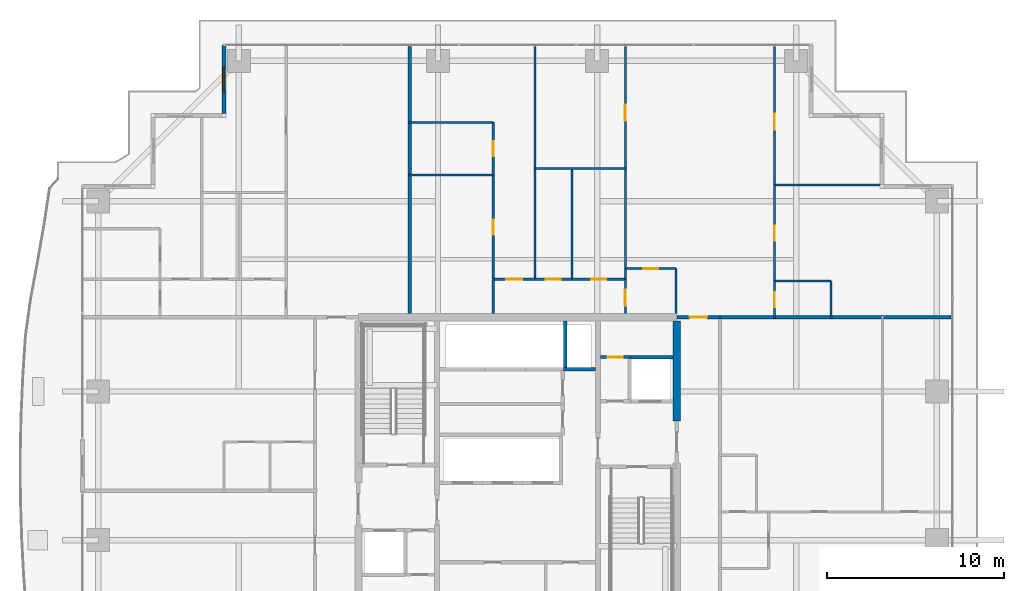
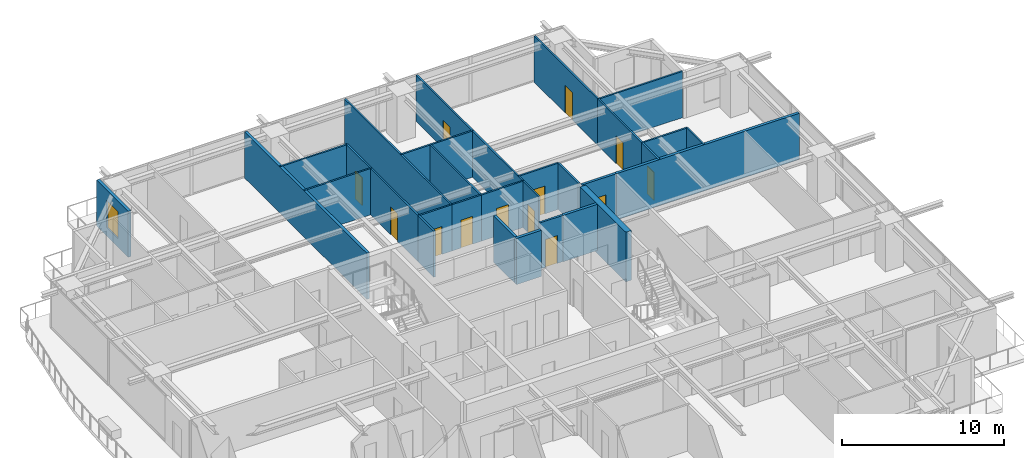
# One storey, part 28 of 35: 31 walls, 13 doors, 1 window, 14 openings.
"""IFC4 building model written with IfcOpenShell, lengths in metres."""

import ifcopenshell
import ifcopenshell.guid

model = None  # the IFC model being written
_history = None  # IfcOwnerHistory: only IFC2X3 demands one
_inside = {}  # id of a spatial element -> (the spatial element, [elements in it])
_under = {}  # id of a project, library or spatial element -> (it, [spatial elements below it])
_declared = {}  # id of a project -> (the project, [libraries it declares])
_typed = {}  # id of a type object -> (the type object, [elements of that type])
_made_of = {}  # id of a material, layer set ... -> (it, [elements and type objects made of it])


def new_model(schema):
    """Start an empty IFC model of exactly this schema.

    Asked for "IFC4X3", IfcOpenShell would pick the latest addendum, in which some entities
    have other attributes; the version numbers below select the first issue.
    IFC2X3 requires an IfcOwnerHistory on every rooted entity: one is made here for all.
    """
    global model, _history
    if schema == "IFC4X3":
        model = ifcopenshell.file(schema_version=(4, 3, 0, 0))
    else:
        model = ifcopenshell.file(schema=schema)
    _inside.clear()
    _under.clear()
    _declared.clear()
    _typed.clear()
    _made_of.clear()
    _history = None
    if model.schema == "IFC2X3":
        org = make("IfcOrganization", Name="unknown")
        user = make(
            "IfcPersonAndOrganization",
            ThePerson=make("IfcPerson", FamilyName="unknown"),
            TheOrganization=org,
        )
        app = make(
            "IfcApplication",
            ApplicationDeveloper=org,
            Version="unknown",
            ApplicationFullName="unknown",
            ApplicationIdentifier="unknown",
        )
        _history = make(
            "IfcOwnerHistory",
            OwningUser=user,
            OwningApplication=app,
            ChangeAction="ADDED",
            CreationDate=0,
        )
    return model


def make(cls, **values):
    """One entity of the class cls with the attributes given. An attribute that is None is left unset."""
    return model.create_entity(
        cls, **{name: value for name, value in values.items() if value is not None}
    )


def rooted(cls, **values):
    """An entity with a GlobalId (a new one), such as an element, a storey or a relation."""
    return make(cls, GlobalId=ifcopenshell.guid.new(), OwnerHistory=_history, **values)


def si_unit(unit_type, name, prefix=None):
    """IfcSIUnit, for example si_unit("LENGTHUNIT", "METRE", prefix="MILLI")."""
    return make("IfcSIUnit", UnitType=unit_type, Prefix=prefix, Name=name)


def assignment(units):
    """IfcUnitAssignment: the units of a project."""
    return None if units is None else make("IfcUnitAssignment", Units=units)


def point(xyz):
    """IfcCartesianPoint."""
    return None if xyz is None else make("IfcCartesianPoint", Coordinates=xyz)


def direction(xyz):
    """IfcDirection."""
    return None if xyz is None else make("IfcDirection", DirectionRatios=xyz)


def frame(location, z_axis=None, x_axis=None):
    """IfcAxis2Placement3D, a coordinate frame: its origin and axes. An axis left out is left unset."""
    return make(
        "IfcAxis2Placement3D",
        Location=point(location),
        Axis=direction(z_axis),
        RefDirection=direction(x_axis),
    )


def frame_2d(location, x_axis=None):
    """IfcAxis2Placement2D, a coordinate frame in the plane: its origin and x axis."""
    return make(
        "IfcAxis2Placement2D", Location=point(location), RefDirection=direction(x_axis)
    )


def origin():
    """The frame at (0, 0, 0) with its axes left unset."""
    return frame((0.0, 0.0, 0.0))


def place(relative_to, where):
    """IfcLocalPlacement: puts the frame where relative to a parent placement (None: the world)."""
    return make(
        "IfcLocalPlacement", PlacementRelTo=relative_to, RelativePlacement=where
    )


def context(
    kind, dimensions, precision=None, world=None, true_north=None, identifier=None
):
    """IfcGeometricRepresentationContext, for example the 3D "Model" context."""
    return make(
        "IfcGeometricRepresentationContext",
        ContextIdentifier=identifier,
        ContextType=kind,
        CoordinateSpaceDimension=dimensions,
        Precision=precision,
        WorldCoordinateSystem=world,
        TrueNorth=true_north,
    )


def subcontext(parent, identifier, kind, view, scale=None):
    """IfcGeometricRepresentationSubContext, for example "Body" below "Model"."""
    return make(
        "IfcGeometricRepresentationSubContext",
        ContextIdentifier=identifier,
        ContextType=kind,
        ParentContext=parent,
        TargetScale=scale,
        TargetView=view,
    )


def project(units=None, contexts=None):
    """IfcProject with its units and contexts."""
    return rooted(
        "IfcProject",
        Name="project",
        RepresentationContexts=contexts,
        UnitsInContext=assignment(units),
    )


def spatial(cls, under=None, at=None, **own):
    """A site, building, storey or space (cls), placed at a placement, below another one or the project."""
    s = rooted(cls, ObjectPlacement=at, **own)
    if under is not None:
        _under.setdefault(under.id(), (under, []))[1].append(s)
    return s


def profile(cls, at=None, kind="AREA", **sizes):
    """A parametric profile (cls). Its sizes go by their IFC names, for example OverallWidth=200.0."""
    return make(cls, ProfileType=kind, Position=at, **sizes)


def rectangle(**sizes):
    """IfcRectangleProfileDef."""
    return profile("IfcRectangleProfileDef", **sizes)


def extrude(swept, where, along, depth):
    """IfcExtrudedAreaSolid: the profile swept, set in the frame where, extruded along a direction by depth."""
    return make(
        "IfcExtrudedAreaSolid",
        SweptArea=swept,
        Position=where,
        ExtrudedDirection=direction(along),
        Depth=depth,
    )


def shape(context_of_items, identifier, shape_type, items):
    """IfcShapeRepresentation: the items that make up one representation, for example the "Body"."""
    return make(
        "IfcShapeRepresentation",
        ContextOfItems=context_of_items,
        RepresentationIdentifier=identifier,
        RepresentationType=shape_type,
        Items=items,
    )


def source(mapping_origin, context_of_items, identifier, shape_type, items):
    """IfcRepresentationMap: a shape defined once, which mapped items show again and again."""
    return make(
        "IfcRepresentationMap",
        MappingOrigin=mapping_origin,
        MappedRepresentation=shape(context_of_items, identifier, shape_type, items),
    )


def transform(
    local_origin,
    x_axis=None,
    y_axis=None,
    z_axis=None,
    scale=None,
    scale2=None,
    scale3=None,
    uniform=True,
):
    """IfcCartesianTransformationOperator3D, or its non-uniform kind. x_axis, y_axis, z_axis: its Axis1, 2, 3."""
    if uniform:
        return make(
            "IfcCartesianTransformationOperator3D",
            Axis1=direction(x_axis),
            Axis2=direction(y_axis),
            LocalOrigin=point(local_origin),
            Scale=scale,
            Axis3=direction(z_axis),
        )
    return make(
        "IfcCartesianTransformationOperator3DnonUniform",
        Axis1=direction(x_axis),
        Axis2=direction(y_axis),
        LocalOrigin=point(local_origin),
        Scale=scale,
        Axis3=direction(z_axis),
        Scale2=scale2,
        Scale3=scale3,
    )


def mapped(mapping_source, mapping_target):
    """IfcMappedItem: shows the shape of a source again, moved by a transform."""
    return make(
        "IfcMappedItem", MappingSource=mapping_source, MappingTarget=mapping_target
    )


def material(Name=None, Category=None):
    """IfcMaterial."""
    return make("IfcMaterial", Name=Name, Category=Category)


def layer(
    of_material, thickness, ventilated=None, Name=None, Category=None, Priority=None
):
    """IfcMaterialLayer: one layer of a wall or slab, of a material (None: an air gap)."""
    return make(
        "IfcMaterialLayer",
        Material=of_material,
        LayerThickness=thickness,
        IsVentilated=ventilated,
        Name=Name,
        Category=Category,
        Priority=Priority,
    )


def layer_set(layers, Name=None):
    """IfcMaterialLayerSet."""
    return make("IfcMaterialLayerSet", MaterialLayers=layers, LayerSetName=Name)


def made_of(thing, what):
    """Note that an element or type object is made of a material, layer set ...; save() writes the relation."""
    if what is not None:
        _made_of.setdefault(what.id(), (what, []))[1].append(thing)
    return thing


def type_object(cls, material=None, **own):
    """A type object (cls), such as IfcWallType, which elements share."""
    return made_of(rooted(cls, **own), material)


def element(
    cls,
    number,
    at=None,
    inside=None,
    cuts=None,
    type_object=None,
    material=None,
    context=None,
    identifier="Body",
    shape_type=None,
    held_by="IfcProductDefinitionShape",
    body=None,
    shapes=None,
    **own,
):
    """One element of the class cls, such as IfcWall. Its Tag is "e" and its number.

    at: its placement. inside: the storey or other place that contains it. cuts: it is an
    opening in that element (IfcRelVoidsElement). A single representation is given by context,
    identifier, shape_type and body (its items); several are given by shapes. held_by: the class
    of the entity that holds the representations. save() writes the other relations.
    """
    e = rooted(cls, Tag="e%d" % number, ObjectPlacement=at, **own)
    if body is not None:
        shapes = [shape(context, identifier, shape_type, body)]
    if shapes is not None:
        e.Representation = make(held_by, Representations=shapes)
    if inside is not None:
        _inside.setdefault(inside.id(), (inside, []))[1].append(e)
    if cuts is not None:
        rooted(
            "IfcRelVoidsElement", RelatingBuildingElement=cuts, RelatedOpeningElement=e
        )
    if type_object is not None:
        _typed.setdefault(type_object.id(), (type_object, []))[1].append(e)
    return made_of(e, material)


def fill(opening, filler):
    """IfcRelFillsElement: the door or window that sits in an opening."""
    return rooted(
        "IfcRelFillsElement",
        RelatingOpeningElement=opening,
        RelatedBuildingElement=filler,
    )


def aggregate(whole, parts):
    """IfcRelAggregates: a whole, such as a stair, and the parts it consists of."""
    return rooted("IfcRelAggregates", RelatingObject=whole, RelatedObjects=parts)


def save(model, path):
    """Write the relations noted so far, then the file.

    IfcRelAggregates (storeys below a building ...), IfcRelContainedInSpatialStructure (elements
    in a storey), IfcRelDefinesByType, IfcRelAssociatesMaterial and IfcRelDeclares: one each for
    every whole, place, type object, material and project.
    """
    for whole, parts in _under.values():
        aggregate(whole, parts)
    for where, things in _inside.values():
        rooted(
            "IfcRelContainedInSpatialStructure",
            RelatedElements=things,
            RelatingStructure=where,
        )
    for kind, things in _typed.values():
        rooted("IfcRelDefinesByType", RelatedObjects=things, RelatingType=kind)
    for what, things in _made_of.values():
        rooted("IfcRelAssociatesMaterial", RelatedObjects=things, RelatingMaterial=what)
    for by, libraries in _declared.values():
        rooted("IfcRelDeclares", RelatingContext=by, RelatedDefinitions=libraries)
    model.write(path)


model = new_model("IFC4")

# Units and contexts
model_context = context("Model", 3, precision=1e-05, world=origin(), true_north=direction((0.0, 1.0)))
body_context = subcontext(model_context, "Body", "Model", "MODEL_VIEW")
ifc_project = project(units=[si_unit("LENGTHUNIT", "METRE"), si_unit("AREAUNIT", "SQUARE_METRE"), si_unit("VOLUMEUNIT", "CUBIC_METRE"), si_unit("PLANEANGLEUNIT", "RADIAN"), si_unit("MASSUNIT", "GRAM", prefix="KILO")], contexts=[model_context])

# Site, building, storey
site_placement = place(None, origin())
site = spatial("IfcSite", under=ifc_project, at=site_placement, CompositionType="ELEMENT")
building_placement = place(site_placement, origin())
building = spatial("IfcBuilding", under=site, at=building_placement, Name="Serunith Strait Residences", CompositionType="ELEMENT")
storey_placement = place(building_placement, frame((0.0, 0.0, 172.64990234375)))
storey = spatial("IfcBuildingStorey", under=building, at=storey_placement, Name="L43", CompositionType="ELEMENT", Elevation=172.64990234375)

# Wall, opening, window
ifc_material_1 = material(Name="Pale-Champagne Aluminium Insulated Panel", Category="aluminium")
ifc_layer_1 = layer(ifc_material_1, 0.219970703125, Name="Pale-Champagne Aluminium Insulated Panel")
ifc_layer_set_1 = layer_set([ifc_layer_1], Name="Pale-Champagne Aluminium Insulated Panel")
wall_type_1 = type_object("IfcWallType", Name="EW-ALUM-220", PredefinedType="ELEMENTEDWALL", material=ifc_layer_set_1)
wall_1_placement = place(storey_placement, frame((15.800048828125, 49.0, 0.0), z_axis=(0.0, 0.0, 1.0), x_axis=(0.0, -1.0, 0.0)))
wall_1 = element("IfcWall", 1, at=wall_1_placement, inside=storey, type_object=wall_type_1, Name="L43 Girih Serrated Corner Wall 12", PredefinedType="ELEMENTEDWALL", context=body_context, shape_type="SweptSolid", body=[
    extrude(rectangle(XDim=3.889892578125, YDim=0.219970703125, at=frame_2d((1.94482421875, 0.0))), origin(), (0.0, 0.0, 1.0), 3.47509765625),
])
opening_1_placement = place(wall_1_placement, frame((1.2451171875, 0.0, 0.64990234375)))
opening_1 = element("IfcOpeningElement", 2, at=opening_1_placement, cuts=wall_1, Name="Opening W-03", PredefinedType="OPENING", context=body_context, shape_type="SweptSolid", body=[
    extrude(rectangle(XDim=1.39990234375, YDim=2.050048828125, at=frame_2d((0.699951171875, 1.02490234375))), frame((0.0, 0.1201171875, 0.0), z_axis=(0.0, -1.0, 0.0), x_axis=(1.0, 0.0, 0.0)), (0.0, 0.0, 1.0), 0.239990234375),
])
ifc_material_2 = material(Name="Ceramic-Fritted Operable Aluminium Window Glass", Category="aluminium")
window_type = type_object("IfcWindowType", Name="WIN-C3", PartitioningType="SINGLE_PANEL", PredefinedType="WINDOW", material=ifc_material_2)
shared_shape_1 = source(origin(), body_context, "Body", "SweptSolid", [
    extrude(rectangle(XDim=1.39990234375, YDim=2.050048828125, at=frame_2d((0.699951171875, 1.02490234375))), frame((0.0, 0.030029296875, 0.0), z_axis=(0.0, -1.0, 0.0), x_axis=(1.0, 0.0, 0.0)), (0.0, 0.0, 1.0), 0.06005859375),
])
window_placement = place(opening_1_placement, origin())
window = element("IfcWindow", 3, at=window_placement, inside=storey, type_object=window_type, Name="L43 Corner Operable Fritted Window 12", OverallHeight=2.050048828125, OverallWidth=1.39990234375, PartitioningType="SINGLE_PANEL", PredefinedType="WINDOW", context=body_context, shape_type="MappedRepresentation", body=[
    mapped(shared_shape_1, transform((0.0, 0.0, 0.0), scale=1.0)),
])
fill(opening_1, window)

# Wall, opening, door
ifc_material_3 = material(Name="Fire-rated masonry service closet wall", Category="masonry")
ifc_layer_2 = layer(ifc_material_3, 0.14990234375, Name="Fire-rated masonry service closet wall")
ifc_layer_set_2 = layer_set([ifc_layer_2], Name="Fire-rated masonry service closet wall")
wall_type_2 = type_object("IfcWallType", Name="IW-BOH-150", PredefinedType="PARTITIONING", material=ifc_layer_set_2)
wall_2_placement = place(storey_placement, frame((37.10009765625, 31.35009765625, 0.0), z_axis=(0.0, 0.0, 1.0), x_axis=(1.0, 0.0, 0.0)))
wall_2 = element("IfcWall", 4, at=wall_2_placement, inside=storey, type_object=wall_type_2, Name="L43 Partition Wall 013", PredefinedType="PARTITIONING", context=body_context, shape_type="SweptSolid", body=[
    extrude(rectangle(XDim=1.64794921875, YDim=0.14990234375, at=frame_2d((0.823974609375, 0.0))), origin(), (0.0, 0.0, 1.0), 3.489990234375),
])
opening_2_placement = place(wall_2_placement, frame((0.39892578125, 0.0, 0.0)))
opening_2 = element("IfcOpeningElement", 5, at=opening_2_placement, cuts=wall_2, Name="Opening FD-850", PredefinedType="OPENING", context=body_context, shape_type="SweptSolid", body=[
    extrude(rectangle(XDim=0.85009765625, YDim=2.10009765625, at=frame_2d((0.425048828125, 1.050048828125))), frame((0.0, 0.0849609375, 0.0), z_axis=(0.0, -1.0, 0.0), x_axis=(1.0, 0.0, 0.0)), (0.0, 0.0, 1.0), 0.169921875),
])
ifc_material_4 = material(Name="Powder-coated steel service closet door", Category="steel")
door_type_1 = type_object("IfcDoorType", Name="FD-BOH-850", OperationType="NOTDEFINED", PredefinedType="DOOR", material=ifc_material_4)
shared_shape_2 = source(origin(), body_context, "Body", "SweptSolid", [
    extrude(rectangle(XDim=0.85009765625, YDim=2.10009765625, at=frame_2d((0.425048828125, 1.050048828125))), frame((0.0, 0.02490234375, 0.0), z_axis=(0.0, -1.0, 0.0), x_axis=(1.0, 0.0, 0.0)), (0.0, 0.0, 1.0), 0.050048828125),
])
door_1_placement = place(opening_2_placement, origin())
door_1 = element("IfcDoor", 6, at=door_1_placement, inside=storey, type_object=door_type_1, Name="L43 Refuse Store Door", OperationType="SINGLE_SWING_RIGHT", OverallHeight=2.10009765625, OverallWidth=0.85009765625, PredefinedType="DOOR", context=body_context, shape_type="MappedRepresentation", body=[
    mapped(shared_shape_2, transform((0.0, 0.0, 0.0), scale=1.0)),
])
fill(opening_2, door_1)

ifc_material_5 = material(Name="Fire-rated acoustic gypsum partition")
ifc_layer_3 = layer(ifc_material_5, 0.179931640625, Name="Fire-rated acoustic gypsum partition")
ifc_layer_set_3 = layer_set([ifc_layer_3], Name="Fire-rated acoustic gypsum partition")
wall_type_3 = type_object("IfcWallType", Name="IW-CORR-180", PredefinedType="PARTITIONING", material=ifc_layer_set_3)
wall_3_placement = place(storey_placement, frame((41.402099609375, 33.60009765625, 0.0), z_axis=(0.0, 0.0, 1.0), x_axis=(1.0, 0.0, 0.0)))
wall_3 = element("IfcWall", 7, at=wall_3_placement, inside=storey, type_object=wall_type_3, Name="L43 Partition Wall 032", PredefinedType="PARTITIONING", context=body_context, shape_type="SweptSolid", body=[
    extrude(rectangle(XDim=2.44580078125, YDim=0.179931640625, at=frame_2d((1.222900390625, 0.0))), origin(), (0.0, 0.0, 1.0), 3.489990234375),
])
opening_3_placement = place(wall_3_placement, frame((0.722900390625, 0.0, 0.0)))
opening_3 = element("IfcOpeningElement", 8, at=opening_3_placement, cuts=wall_3, Name="Opening D-APT1000", PredefinedType="OPENING", context=body_context, shape_type="SweptSolid", body=[
    extrude(rectangle(XDim=1.0, YDim=2.14990234375, at=frame_2d((0.5, 1.074951171875))), frame((0.0, 0.10009765625, 0.0), z_axis=(0.0, -1.0, 0.0), x_axis=(1.0, 0.0, 0.0)), (0.0, 0.0, 1.0), 0.199951171875),
])
ifc_material_6 = material(Name="Solid timber engineered fire door", Category="wood")
door_type_2 = type_object("IfcDoorType", Name="ID-APT-1000", OperationType="NOTDEFINED", PredefinedType="DOOR", material=ifc_material_6)
shared_shape_3 = source(origin(), body_context, "Body", "SweptSolid", [
    extrude(rectangle(XDim=1.0, YDim=2.14990234375, at=frame_2d((0.5, 1.074951171875))), frame((0.0, 0.02490234375, 0.0), z_axis=(0.0, -1.0, 0.0), x_axis=(1.0, 0.0, 0.0)), (0.0, 0.0, 1.0), 0.050048828125),
])
door_2_placement = place(opening_3_placement, origin())
door_2 = element("IfcDoor", 9, at=door_2_placement, inside=storey, type_object=door_type_2, Name="L43 Unit 05 Entrance Door", OperationType="SINGLE_SWING_RIGHT", OverallHeight=2.14990234375, OverallWidth=1.0, PredefinedType="DOOR", context=body_context, shape_type="MappedRepresentation", body=[
    mapped(shared_shape_3, transform((0.0, 0.0, 0.0), scale=1.0)),
])
fill(opening_3, door_2)

ifc_material_7 = material(Name="Lightweight steel-stud gypsum partition", Category="steel")
ifc_layer_4 = layer(ifc_material_7, 0.1201171875, Name="Lightweight steel-stud gypsum partition")
ifc_layer_set_4 = layer_set([ifc_layer_4], Name="Lightweight steel-stud gypsum partition")
wall_type_4 = type_object("IfcWallType", Name="IW-PART-120", PredefinedType="PARTITIONING", material=ifc_layer_set_4)
wall_4_placement = place(storey_placement, frame((38.5, 36.35009765625, 0.0), z_axis=(0.0, 0.0, 1.0), x_axis=(1.0, 0.0, 0.0)))
wall_4 = element("IfcWall", 10, at=wall_4_placement, inside=storey, type_object=wall_type_4, Name="L43 Partition Wall 075", PredefinedType="PARTITIONING", context=body_context, shape_type="SweptSolid", body=[
    extrude(rectangle(XDim=2.85009765625, YDim=0.1201171875, at=frame_2d((1.425048828125, 0.0))), origin(), (0.0, 0.0, 1.0), 3.489990234375),
])
opening_4_placement = place(wall_4_placement, frame((1.0, 0.0, 0.0)))
opening_4 = element("IfcOpeningElement", 11, at=opening_4_placement, cuts=wall_4, Name="Opening D-RM850", PredefinedType="OPENING", context=body_context, shape_type="SweptSolid", body=[
    extrude(rectangle(XDim=0.85009765625, YDim=2.10009765625, at=frame_2d((0.425048828125, 1.050048828125))), frame((0.0, 0.070068359375, 0.0), z_axis=(0.0, -1.0, 0.0), x_axis=(1.0, 0.0, 0.0)), (0.0, 0.0, 1.0), 0.14013671875),
])
ifc_material_8 = material(Name="Engineered timber flush study and kitchen door", Category="wood")
door_type_3 = type_object("IfcDoorType", Name="ID-ROOM-850", OperationType="NOTDEFINED", PredefinedType="DOOR", material=ifc_material_8)
door_3_placement = place(opening_4_placement, origin())
door_3 = element("IfcDoor", 12, at=door_3_placement, inside=storey, type_object=door_type_3, Name="L43 Kitchen 4305 Door", OperationType="SINGLE_SWING_LEFT", OverallHeight=2.10009765625, OverallWidth=0.85009765625, PredefinedType="DOOR", context=body_context, shape_type="MappedRepresentation", body=[
    mapped(shared_shape_2, transform((0.0, 0.0, 0.0), scale=1.0)),
])
fill(opening_4, door_3)

# Wall
wall_5_placement = place(storey_placement, frame((41.35009765625, 36.35009765625, 0.0), z_axis=(0.0, 0.0, 1.0), x_axis=(0.0, -1.0, 0.0)))
element("IfcWall", 13, at=wall_5_placement, inside=storey, type_object=wall_type_4, Name="L43 Partition Wall 076", PredefinedType="PARTITIONING", context=body_context, shape_type="SweptSolid", body=[
    extrude(rectangle(XDim=2.550048828125, YDim=0.1201171875, at=frame_2d((1.27490234375, 0.0))), origin(), (0.0, 0.0, 1.0), 3.489990234375),
])

# Wall, opening, door
wall_6_placement = place(storey_placement, frame((38.5, 35.75, 0.0), z_axis=(0.0, 0.0, 1.0), x_axis=(0.0, -1.0, 0.0)))
wall_6 = element("IfcWall", 14, at=wall_6_placement, inside=storey, type_object=wall_type_4, Name="L43 Partition Wall 077", PredefinedType="PARTITIONING", context=body_context, shape_type="SweptSolid", body=[
    extrude(rectangle(XDim=1.949951171875, YDim=0.1201171875, at=frame_2d((0.97509765625, 0.0))), origin(), (0.0, 0.0, 1.0), 3.489990234375),
])
opening_5_placement = place(wall_6_placement, frame((0.594970703125, 0.0, 0.0)))
opening_5 = element("IfcOpeningElement", 15, at=opening_5_placement, cuts=wall_6, Name="Opening D-RM900", PredefinedType="OPENING", context=body_context, shape_type="SweptSolid", body=[
    extrude(rectangle(XDim=0.89990234375, YDim=2.10009765625, at=frame_2d((0.449951171875, 1.050048828125))), frame((0.0, 0.070068359375, 0.0), z_axis=(0.0, -1.0, 0.0), x_axis=(1.0, 0.0, 0.0)), (0.0, 0.0, 1.0), 0.14013671875),
])
ifc_material_9 = material(Name="Engineered timber flush bedroom door", Category="wood")
door_type_4 = type_object("IfcDoorType", Name="ID-ROOM-900", OperationType="NOTDEFINED", PredefinedType="DOOR", material=ifc_material_9)
shared_shape_4 = source(origin(), body_context, "Body", "SweptSolid", [
    extrude(rectangle(XDim=0.89990234375, YDim=2.10009765625, at=frame_2d((0.449951171875, 1.050048828125))), frame((0.0, 0.02490234375, 0.0), z_axis=(0.0, -1.0, 0.0), x_axis=(1.0, 0.0, 0.0)), (0.0, 0.0, 1.0), 0.050048828125),
])
door_4_placement = place(opening_5_placement, origin())
door_4 = element("IfcDoor", 16, at=door_4_placement, inside=storey, type_object=door_type_4, Name="L43 Hall W 4305 Door", OperationType="SINGLE_SWING_RIGHT", OverallHeight=2.10009765625, OverallWidth=0.89990234375, PredefinedType="DOOR", context=body_context, shape_type="MappedRepresentation", body=[
    mapped(shared_shape_4, transform((0.0, 0.0, 0.0), scale=1.0)),
])
fill(opening_5, door_4)

wall_7_placement = place(storey_placement, frame((38.5, 48.905029296875, 0.0), z_axis=(0.0, 0.0, 1.0), x_axis=(0.0, -1.0, 0.0)))
wall_7 = element("IfcWall", 17, at=wall_7_placement, inside=storey, type_object=wall_type_4, Name="L43 Partition Wall 078", PredefinedType="PARTITIONING", context=body_context, shape_type="SweptSolid", body=[
    extrude(rectangle(XDim=6.901123046875, YDim=0.1201171875, at=frame_2d((3.45068359375, 0.0))), origin(), (0.0, 0.0, 1.0), 3.489990234375),
])
opening_6_placement = place(wall_7_placement, frame((3.301025390625, 0.0, 0.0)))
opening_6 = element("IfcOpeningElement", 18, at=opening_6_placement, cuts=wall_7, Name="Opening D-RM900", PredefinedType="OPENING", context=body_context, shape_type="SweptSolid", body=[
    extrude(rectangle(XDim=0.89990234375, YDim=2.10009765625, at=frame_2d((0.449951171875, 1.050048828125))), frame((0.0, 0.070068359375, 0.0), z_axis=(0.0, -1.0, 0.0), x_axis=(1.0, 0.0, 0.0)), (0.0, 0.0, 1.0), 0.14013671875),
])
door_5_placement = place(opening_6_placement, origin())
door_5 = element("IfcDoor", 19, at=door_5_placement, inside=storey, type_object=door_type_4, Name="L43 Formal Dining Room 1 4305 Door", OperationType="SINGLE_SWING_LEFT", OverallHeight=2.10009765625, OverallWidth=0.89990234375, PredefinedType="DOOR", context=body_context, shape_type="MappedRepresentation", body=[
    mapped(shared_shape_4, transform((0.0, 0.0, 0.0), scale=1.0)),
])
fill(opening_6, door_5)

# Walls
wall_8_placement = place(storey_placement, frame((38.5, 42.001953125, 0.0), z_axis=(0.0, 0.0, 1.0), x_axis=(0.0, -1.0, 0.0)))
element("IfcWall", 20, at=wall_8_placement, inside=storey, type_object=wall_type_4, Name="L43 Partition Wall 079", PredefinedType="PARTITIONING", context=body_context, shape_type="SweptSolid", body=[
    extrude(rectangle(XDim=6.25, YDim=0.1201171875, at=frame_2d((3.125, 0.0))), origin(), (0.0, 0.0, 1.0), 3.489990234375),
])
wall_9_placement = place(storey_placement, frame((33.3798828125, 42.00390625, 0.0), z_axis=(0.0, 0.0, 1.0), x_axis=(1.0, 0.0, 0.0)))
element("IfcWall", 21, at=wall_9_placement, inside=storey, type_object=wall_type_4, Name="L43 Partition Wall 080", PredefinedType="PARTITIONING", context=body_context, shape_type="SweptSolid", body=[
    extrude(rectangle(XDim=5.1201171875, YDim=0.1201171875, at=frame_2d((2.56005859375, 0.0))), origin(), (0.0, 0.0, 1.0), 3.489990234375),
])
wall_10_placement = place(storey_placement, frame((33.3798828125, 48.905029296875, 0.0), z_axis=(0.0, 0.0, 1.0), x_axis=(0.0, -1.0, 0.0)))
element("IfcWall", 22, at=wall_10_placement, inside=storey, type_object=wall_type_4, Name="L43 Partition Wall 081", PredefinedType="PARTITIONING", context=body_context, shape_type="SweptSolid", body=[
    extrude(rectangle(XDim=13.155029296875, YDim=0.1201171875, at=frame_2d((6.57763671875, 0.0))), origin(), (0.0, 0.0, 1.0), 3.489990234375),
])
wall_11_placement = place(storey_placement, frame((35.47998046875, 42.00390625, 0.0), z_axis=(0.0, 0.0, 1.0), x_axis=(0.0, -1.0, 0.0)))
element("IfcWall", 23, at=wall_11_placement, inside=storey, type_object=wall_type_4, Name="L43 Partition Wall 082", PredefinedType="PARTITIONING", context=body_context, shape_type="SweptSolid", body=[
    extrude(rectangle(XDim=6.25390625, YDim=0.1201171875, at=frame_2d((3.126953125, 0.0))), origin(), (0.0, 0.0, 1.0), 3.489990234375),
])

# Wall, opening, door
wall_12_placement = place(storey_placement, frame((33.3798828125, 35.75, 0.0), z_axis=(0.0, 0.0, 1.0), x_axis=(1.0, 0.0, 0.0)))
wall_12 = element("IfcWall", 24, at=wall_12_placement, inside=storey, type_object=wall_type_4, Name="L43 Partition Wall 083", PredefinedType="PARTITIONING", context=body_context, shape_type="SweptSolid", body=[
    extrude(rectangle(XDim=2.10009765625, YDim=0.1201171875, at=frame_2d((1.050048828125, 0.0))), origin(), (0.0, 0.0, 1.0), 3.489990234375),
])
opening_7_placement = place(wall_12_placement, frame((0.625, 0.0, 0.0)))
opening_7 = element("IfcOpeningElement", 25, at=opening_7_placement, cuts=wall_12, Name="Opening D-BTH850", PredefinedType="OPENING", context=body_context, shape_type="SweptSolid", body=[
    extrude(rectangle(XDim=0.85009765625, YDim=2.10009765625, at=frame_2d((0.425048828125, 1.050048828125))), frame((0.0, 0.070068359375, 0.0), z_axis=(0.0, -1.0, 0.0), x_axis=(1.0, 0.0, 0.0)), (0.0, 0.0, 1.0), 0.14013671875),
])
ifc_material_10 = material(Name="Moisture-resistant timber bathroom door", Category="wood")
door_type_5 = type_object("IfcDoorType", Name="ID-BATH-850", OperationType="NOTDEFINED", PredefinedType="DOOR", material=ifc_material_10)
door_6_placement = place(opening_7_placement, origin())
door_6 = element("IfcDoor", 26, at=door_6_placement, inside=storey, type_object=door_type_5, Name="L43 Bathroom 4305 Door", OperationType="SINGLE_SWING_RIGHT", OverallHeight=2.10009765625, OverallWidth=0.85009765625, PredefinedType="DOOR", context=body_context, shape_type="MappedRepresentation", body=[
    mapped(shared_shape_2, transform((0.0, 0.0, 0.0), scale=1.0)),
])
fill(opening_7, door_6)

wall_13_placement = place(storey_placement, frame((35.48193359375, 35.75, 0.0), z_axis=(0.0, 0.0, 1.0), x_axis=(1.0, 0.0, 0.0)))
wall_13 = element("IfcWall", 27, at=wall_13_placement, inside=storey, type_object=wall_type_4, Name="L43 Partition Wall 084", PredefinedType="PARTITIONING", context=body_context, shape_type="SweptSolid", body=[
    extrude(rectangle(XDim=3.01806640625, YDim=0.1201171875, at=frame_2d((1.509033203125, 0.0))), origin(), (0.0, 0.0, 1.0), 3.489990234375),
])
opening_8_placement = place(wall_13_placement, frame((1.083984375, 0.0, 0.0)))
opening_8 = element("IfcOpeningElement", 28, at=opening_8_placement, cuts=wall_13, Name="Opening D-RM850", PredefinedType="OPENING", context=body_context, shape_type="SweptSolid", body=[
    extrude(rectangle(XDim=0.85009765625, YDim=2.10009765625, at=frame_2d((0.425048828125, 1.050048828125))), frame((0.0, 0.070068359375, 0.0), z_axis=(0.0, -1.0, 0.0), x_axis=(1.0, 0.0, 0.0)), (0.0, 0.0, 1.0), 0.14013671875),
])
door_7_placement = place(opening_8_placement, origin())
door_7 = element("IfcDoor", 29, at=door_7_placement, inside=storey, type_object=door_type_3, Name="L43 Formal Dining Room 4305 Door", OperationType="SINGLE_SWING_LEFT", OverallHeight=2.10009765625, OverallWidth=0.85009765625, PredefinedType="DOOR", context=body_context, shape_type="MappedRepresentation", body=[
    mapped(shared_shape_2, transform((0.0, 0.0, 0.0), scale=1.0)),
])
fill(opening_8, door_7)

wall_14_placement = place(storey_placement, frame((31.030029296875, 35.75, 0.0), z_axis=(0.0, 0.0, 1.0), x_axis=(1.0, 0.0, 0.0)))
wall_14 = element("IfcWall", 30, at=wall_14_placement, inside=storey, type_object=wall_type_4, Name="L43 Partition Wall 085", PredefinedType="PARTITIONING", context=body_context, shape_type="SweptSolid", body=[
    extrude(rectangle(XDim=2.347900390625, YDim=0.1201171875, at=frame_2d((1.173828125, 0.0))), origin(), (0.0, 0.0, 1.0), 3.489990234375),
])
opening_9_placement = place(wall_14_placement, frame((0.72412109375, 0.0, 0.0)))
opening_9 = element("IfcOpeningElement", 31, at=opening_9_placement, cuts=wall_14, Name="Opening D-RM900", PredefinedType="OPENING", context=body_context, shape_type="SweptSolid", body=[
    extrude(rectangle(XDim=0.89990234375, YDim=2.10009765625, at=frame_2d((0.449951171875, 1.050048828125))), frame((0.0, 0.070068359375, 0.0), z_axis=(0.0, -1.0, 0.0), x_axis=(1.0, 0.0, 0.0)), (0.0, 0.0, 1.0), 0.14013671875),
])
door_8_placement = place(opening_9_placement, origin())
door_8 = element("IfcDoor", 32, at=door_8_placement, inside=storey, type_object=door_type_4, Name="L43 Master Bedroom W 4305 Door", OperationType="SINGLE_SWING_RIGHT", OverallHeight=2.10009765625, OverallWidth=0.89990234375, PredefinedType="DOOR", context=body_context, shape_type="MappedRepresentation", body=[
    mapped(shared_shape_4, transform((0.0, 0.0, 0.0), scale=1.0)),
])
fill(opening_9, door_8)

# Walls
for number, where, z_axis, x_axis, name in (
    (33, (26.239990234375, 44.60595703125, 0.0), (0.0, 0.0, 1.0), (1.0, 0.0, 0.0), "L43 Partition Wall 086"),
    (34, (26.239990234375, 41.64599609375, 0.0), (0.0, 0.0, 1.0), (1.0, 0.0, 0.0), "L43 Partition Wall 087"),
):
    element("IfcWall", number, at=place(storey_placement, frame(where, z_axis=z_axis, x_axis=x_axis)), inside=storey, type_object=wall_type_4, Name=name, PredefinedType="PARTITIONING", context=body_context, shape_type="SweptSolid", body=[
        extrude(rectangle(XDim=4.7900390625, YDim=0.1201171875, at=frame_2d((2.39501953125, 0.0))), origin(), (0.0, 0.0, 1.0), 3.489990234375),
    ])

# Wall, opening, door
wall_15_placement = place(storey_placement, frame((31.030029296875, 44.60595703125, 0.0), z_axis=(0.0, 0.0, 1.0), x_axis=(0.0, -1.0, 0.0)))
wall_15 = element("IfcWall", 35, at=wall_15_placement, inside=storey, type_object=wall_type_4, Name="L43 Partition Wall 088", PredefinedType="PARTITIONING", context=body_context, shape_type="SweptSolid", body=[
    extrude(rectangle(XDim=2.9599609375, YDim=0.1201171875, at=frame_2d((1.47998046875, 0.0))), origin(), (0.0, 0.0, 1.0), 3.489990234375),
])
opening_10_placement = place(wall_15_placement, frame((1.054931640625, 0.0, 0.0)))
opening_10 = element("IfcOpeningElement", 36, at=opening_10_placement, cuts=wall_15, Name="Opening D-BTH850", PredefinedType="OPENING", context=body_context, shape_type="SweptSolid", body=[
    extrude(rectangle(XDim=0.85009765625, YDim=2.10009765625, at=frame_2d((0.425048828125, 1.050048828125))), frame((0.0, 0.070068359375, 0.0), z_axis=(0.0, -1.0, 0.0), x_axis=(1.0, 0.0, 0.0)), (0.0, 0.0, 1.0), 0.14013671875),
])
door_9_placement = place(opening_10_placement, origin())
door_9 = element("IfcDoor", 37, at=door_9_placement, inside=storey, type_object=door_type_5, Name="L43 En-suite Bathroom W 4305 Door", OperationType="SINGLE_SWING_LEFT", OverallHeight=2.10009765625, OverallWidth=0.85009765625, PredefinedType="DOOR", context=body_context, shape_type="MappedRepresentation", body=[
    mapped(shared_shape_2, transform((0.0, 0.0, 0.0), scale=1.0)),
])
fill(opening_10, door_9)

wall_16_placement = place(storey_placement, frame((31.030029296875, 41.64404296875, 0.0), z_axis=(0.0, 0.0, 1.0), x_axis=(0.0, -1.0, 0.0)))
wall_16 = element("IfcWall", 38, at=wall_16_placement, inside=storey, type_object=wall_type_4, Name="L43 Partition Wall 089", PredefinedType="PARTITIONING", context=body_context, shape_type="SweptSolid", body=[
    extrude(rectangle(XDim=5.89404296875, YDim=0.1201171875, at=frame_2d((2.947021484375, 0.0))), origin(), (0.0, 0.0, 1.0), 3.489990234375),
])
opening_11_placement = place(wall_16_placement, frame((2.52197265625, 0.0, 0.0)))
opening_11 = element("IfcOpeningElement", 39, at=opening_11_placement, cuts=wall_16, Name="Opening D-RM850", PredefinedType="OPENING", context=body_context, shape_type="SweptSolid", body=[
    extrude(rectangle(XDim=0.85009765625, YDim=2.10009765625, at=frame_2d((0.425048828125, 1.050048828125))), frame((0.0, 0.070068359375, 0.0), z_axis=(0.0, -1.0, 0.0), x_axis=(1.0, 0.0, 0.0)), (0.0, 0.0, 1.0), 0.14013671875),
])
door_10_placement = place(opening_11_placement, origin())
door_10 = element("IfcDoor", 40, at=door_10_placement, inside=storey, type_object=door_type_3, Name="L43 Wardrobe W 4305 Door", OperationType="SINGLE_SWING_RIGHT", OverallHeight=2.10009765625, OverallWidth=0.85009765625, PredefinedType="DOOR", context=body_context, shape_type="MappedRepresentation", body=[
    mapped(shared_shape_2, transform((0.0, 0.0, 0.0), scale=1.0)),
])
fill(opening_11, door_10)

# Wall
wall_17_placement = place(storey_placement, frame((31.030029296875, 35.748046875, 0.0), z_axis=(0.0, 0.0, 1.0), x_axis=(0.0, -1.0, 0.0)))
element("IfcWall", 41, at=wall_17_placement, inside=storey, type_object=wall_type_4, Name="L43 Partition Wall 090", PredefinedType="PARTITIONING", context=body_context, shape_type="SweptSolid", body=[
    extrude(rectangle(XDim=1.947998046875, YDim=0.1201171875, at=frame_2d((0.97412109375, 0.0))), origin(), (0.0, 0.0, 1.0), 3.489990234375),
])

# Wall, opening, door
wall_18_placement = place(storey_placement, frame((46.929931640625, 48.905029296875, 0.0), z_axis=(0.0, 0.0, 1.0), x_axis=(0.0, -1.0, 0.0)))
wall_18 = element("IfcWall", 42, at=wall_18_placement, inside=storey, type_object=wall_type_4, Name="L43 Partition Wall 091", PredefinedType="PARTITIONING", context=body_context, shape_type="SweptSolid", body=[
    extrude(rectangle(XDim=7.830078125, YDim=0.1201171875, at=frame_2d((3.9150390625, 0.0))), origin(), (0.0, 0.0, 1.0), 3.489990234375),
])
opening_12_placement = place(wall_18_placement, frame((3.81103515625, 0.0, 0.0)))
opening_12 = element("IfcOpeningElement", 43, at=opening_12_placement, cuts=wall_18, Name="Opening D-RM900", PredefinedType="OPENING", context=body_context, shape_type="SweptSolid", body=[
    extrude(rectangle(XDim=0.89990234375, YDim=2.10009765625, at=frame_2d((0.449951171875, 1.050048828125))), frame((0.0, 0.070068359375, 0.0), z_axis=(0.0, -1.0, 0.0), x_axis=(1.0, 0.0, 0.0)), (0.0, 0.0, 1.0), 0.14013671875),
])
door_11_placement = place(opening_12_placement, origin())
door_11 = element("IfcDoor", 44, at=door_11_placement, inside=storey, type_object=door_type_4, Name="L43 Bedroom 3 4305 Door", OperationType="SINGLE_SWING_LEFT", OverallHeight=2.10009765625, OverallWidth=0.89990234375, PredefinedType="DOOR", context=body_context, shape_type="MappedRepresentation", body=[
    mapped(shared_shape_4, transform((0.0, 0.0, 0.0), scale=1.0)),
])
fill(opening_12, door_11)

# Walls
wall_19_placement = place(storey_placement, frame((46.929931640625, 41.074951171875, 0.0), z_axis=(0.0, 0.0, 1.0), x_axis=(1.0, 0.0, 0.0)))
element("IfcWall", 45, at=wall_19_placement, inside=storey, type_object=wall_type_4, Name="L43 Partition Wall 092", PredefinedType="PARTITIONING", context=body_context, shape_type="SweptSolid", body=[
    extrude(rectangle(XDim=5.97509765625, YDim=0.1201171875, at=frame_2d((2.987548828125, 0.0))), origin(), (0.0, 0.0, 1.0), 3.489990234375),
])
wall_20_placement = place(storey_placement, frame((46.929931640625, 35.64990234375, 0.0), z_axis=(0.0, 0.0, 1.0), x_axis=(1.0, 0.0, 0.0)))
element("IfcWall", 46, at=wall_20_placement, inside=storey, type_object=wall_type_4, Name="L43 Partition Wall 093", PredefinedType="PARTITIONING", context=body_context, shape_type="SweptSolid", body=[
    extrude(rectangle(XDim=3.199951171875, YDim=0.1201171875, at=frame_2d((1.60009765625, 0.0))), origin(), (0.0, 0.0, 1.0), 3.489990234375),
])
wall_21_placement = place(storey_placement, frame((50.1298828125, 35.64990234375, 0.0), z_axis=(0.0, 0.0, 1.0), x_axis=(0.0, -1.0, 0.0)))
element("IfcWall", 47, at=wall_21_placement, inside=storey, type_object=wall_type_4, Name="L43 Partition Wall 094", PredefinedType="PARTITIONING", context=body_context, shape_type="SweptSolid", body=[
    extrude(rectangle(XDim=2.10986328125, YDim=0.1201171875, at=frame_2d((1.054931640625, 0.0))), origin(), (0.0, 0.0, 1.0), 3.489990234375),
])

# Wall, opening, door
wall_22_placement = place(storey_placement, frame((46.929931640625, 41.072998046875, 0.0), z_axis=(0.0, 0.0, 1.0), x_axis=(0.0, -1.0, 0.0)))
wall_22 = element("IfcWall", 48, at=wall_22_placement, inside=storey, type_object=wall_type_4, Name="L43 Partition Wall 095", PredefinedType="PARTITIONING", context=body_context, shape_type="SweptSolid", body=[
    extrude(rectangle(XDim=5.423095703125, YDim=0.1201171875, at=frame_2d((2.71142578125, 0.0))), origin(), (0.0, 0.0, 1.0), 3.489990234375),
])
opening_13_placement = place(wall_22_placement, frame((2.287109375, 0.0, 0.0)))
opening_13 = element("IfcOpeningElement", 49, at=opening_13_placement, cuts=wall_22, Name="Opening D-RM850", PredefinedType="OPENING", context=body_context, shape_type="SweptSolid", body=[
    extrude(rectangle(XDim=0.85009765625, YDim=2.10009765625, at=frame_2d((0.425048828125, 1.050048828125))), frame((0.0, 0.070068359375, 0.0), z_axis=(0.0, -1.0, 0.0), x_axis=(1.0, 0.0, 0.0)), (0.0, 0.0, 1.0), 0.14013671875),
])
door_12_placement = place(opening_13_placement, origin())
door_12 = element("IfcDoor", 50, at=door_12_placement, inside=storey, type_object=door_type_3, Name="L43 Walk-in Wardrobe 4305 Door", OperationType="SINGLE_SWING_RIGHT", OverallHeight=2.10009765625, OverallWidth=0.85009765625, PredefinedType="DOOR", context=body_context, shape_type="MappedRepresentation", body=[
    mapped(shared_shape_2, transform((0.0, 0.0, 0.0), scale=1.0)),
])
fill(opening_13, door_12)

wall_23_placement = place(storey_placement, frame((46.929931640625, 35.64794921875, 0.0), z_axis=(0.0, 0.0, 1.0), x_axis=(0.0, -1.0, 0.0)))
wall_23 = element("IfcWall", 51, at=wall_23_placement, inside=storey, type_object=wall_type_4, Name="L43 Partition Wall 096", PredefinedType="PARTITIONING", context=body_context, shape_type="SweptSolid", body=[
    extrude(rectangle(XDim=2.10791015625, YDim=0.1201171875, at=frame_2d((1.053955078125, 0.0))), origin(), (0.0, 0.0, 1.0), 3.489990234375),
])
opening_14_placement = place(wall_23_placement, frame((0.62890625, 0.0, 0.0)))
opening_14 = element("IfcOpeningElement", 52, at=opening_14_placement, cuts=wall_23, Name="Opening D-BTH850", PredefinedType="OPENING", context=body_context, shape_type="SweptSolid", body=[
    extrude(rectangle(XDim=0.85009765625, YDim=2.10009765625, at=frame_2d((0.425048828125, 1.050048828125))), frame((0.0, 0.070068359375, 0.0), z_axis=(0.0, -1.0, 0.0), x_axis=(1.0, 0.0, 0.0)), (0.0, 0.0, 1.0), 0.14013671875),
])
door_13_placement = place(opening_14_placement, origin())
door_13 = element("IfcDoor", 53, at=door_13_placement, inside=storey, type_object=door_type_5, Name="L43 Bathroom 4305 Door", OperationType="SINGLE_SWING_LEFT", OverallHeight=2.10009765625, OverallWidth=0.85009765625, PredefinedType="DOOR", context=body_context, shape_type="MappedRepresentation", body=[
    mapped(shared_shape_2, transform((0.0, 0.0, 0.0), scale=1.0)),
])
fill(opening_14, door_13)

# Walls
ifc_material_11 = material(Name="Twin-stud acoustic gypsum board partition")
ifc_layer_5 = layer(ifc_material_11, 0.199951171875, Name="Twin-stud acoustic gypsum board partition")
ifc_layer_set_5 = layer_set([ifc_layer_5], Name="Twin-stud acoustic gypsum board partition")
wall_type_5 = type_object("IfcWallType", Name="IW-PARTY-200", PredefinedType="PARTITIONING", material=ifc_layer_set_5)
wall_24_placement = place(storey_placement, frame((26.300048828125, 33.800048828125, 0.0), z_axis=(0.0, 0.0, 1.0), x_axis=(0.0, 1.0, 0.0)))
element("IfcWall", 54, at=wall_24_placement, inside=storey, type_object=wall_type_5, Name="L43 Partition Wall 022", PredefinedType="PARTITIONING", context=body_context, shape_type="SweptSolid", body=[
    extrude(rectangle(XDim=15.117919921875, YDim=0.199951171875, at=frame_2d((7.55908203125, 0.0))), origin(), (0.0, 0.0, 1.0), 3.489990234375),
])
wall_25_placement = place(storey_placement, frame((43.85009765625, 33.60009765625, 0.0), z_axis=(0.0, 0.0, 1.0), x_axis=(1.0, 0.0, 0.0)))
element("IfcWall", 55, at=wall_25_placement, inside=storey, type_object=wall_type_5, Name="L43 Partition Wall 027", PredefinedType="PARTITIONING", context=body_context, shape_type="SweptSolid", body=[
    extrude(rectangle(XDim=13.06787109375, YDim=0.199951171875, at=frame_2d((6.533935546875, 0.0))), origin(), (0.0, 0.0, 1.0), 3.489990234375),
])
ifc_material_12 = material(Name="Autoclaved aerated concrete blockwork", Category="masonry")
ifc_layer_6 = layer(ifc_material_12, 0.199951171875, Name="Autoclaved aerated concrete blockwork")
ifc_layer_set_6 = layer_set([ifc_layer_6], Name="Autoclaved aerated concrete blockwork")
wall_type_6 = type_object("IfcWallType", Name="IW-SHAFT-200", PredefinedType="STANDARD", material=ifc_layer_set_6)
wall_26_placement = place(storey_placement, frame((35.0, 30.64990234375, 0.0), z_axis=(0.0, 0.0, 1.0), x_axis=(1.0, 0.0, 0.0)))
element("IfcWall", 56, at=wall_26_placement, inside=storey, type_object=wall_type_6, Name="L43 SL-1 South Shaft Wall", PredefinedType="STANDARD", context=body_context, shape_type="SweptSolid", body=[
    extrude(rectangle(XDim=1.800048828125, YDim=0.199951171875, at=frame_2d((0.89990234375, 0.0))), origin(), (0.0, 0.0, 1.0), 3.489990234375),
])
wall_27_placement = place(storey_placement, frame((35.10009765625, 30.75, 0.0), z_axis=(0.0, 0.0, 1.0), x_axis=(0.0, 1.0, 0.0)))
element("IfcWall", 57, at=wall_27_placement, inside=storey, type_object=wall_type_6, Name="L43 SL-1 West Shaft Wall", PredefinedType="STANDARD", context=body_context, shape_type="SweptSolid", body=[
    extrude(rectangle(XDim=2.64990234375, YDim=0.199951171875, at=frame_2d((1.324951171875, 0.0))), origin(), (0.0, 0.0, 1.0), 3.489990234375),
])
wall_28_placement = place(storey_placement, frame((38.75, 31.35009765625, 0.0), z_axis=(0.0, 0.0, 1.0), x_axis=(1.0, 0.0, 0.0)))
element("IfcWall", 58, at=wall_28_placement, inside=storey, type_object=wall_type_6, Name="L43 Partition Wall 005", PredefinedType="STANDARD", context=body_context, shape_type="SweptSolid", body=[
    extrude(rectangle(XDim=2.449951171875, YDim=0.199951171875, at=frame_2d((1.22509765625, 0.0))), origin(), (0.0, 0.0, 1.0), 3.489990234375),
])
ifc_material_13 = material(Name="Concrete C70/85", Category="concrete")
ifc_layer_7 = layer(ifc_material_13, 0.39990234375, Name="Concrete C70/85")
ifc_layer_set_7 = layer_set([ifc_layer_7], Name="Concrete C70/85")
wall_type_7 = type_object("IfcWallType", Name="SW-400-C70", PredefinedType="SHEAR", material=ifc_layer_set_7)
wall_29_placement = place(storey_placement, frame((41.39990234375, 27.75, -0.260009765625), z_axis=(0.0, 0.0, 1.0), x_axis=(0.0, 1.0, 0.0)))
element("IfcWall", 59, at=wall_29_placement, inside=storey, type_object=wall_type_7, Name="L43 Core East Shear Wall North Pier", PredefinedType="SHEAR", context=body_context, shape_type="SweptSolid", body=[
    extrude(rectangle(XDim=5.64990234375, YDim=0.39990234375, at=frame_2d((2.824951171875, 0.0))), origin(), (0.0, 0.0, 1.0), 3.748046875),
])

save(model, "model.ifc")
